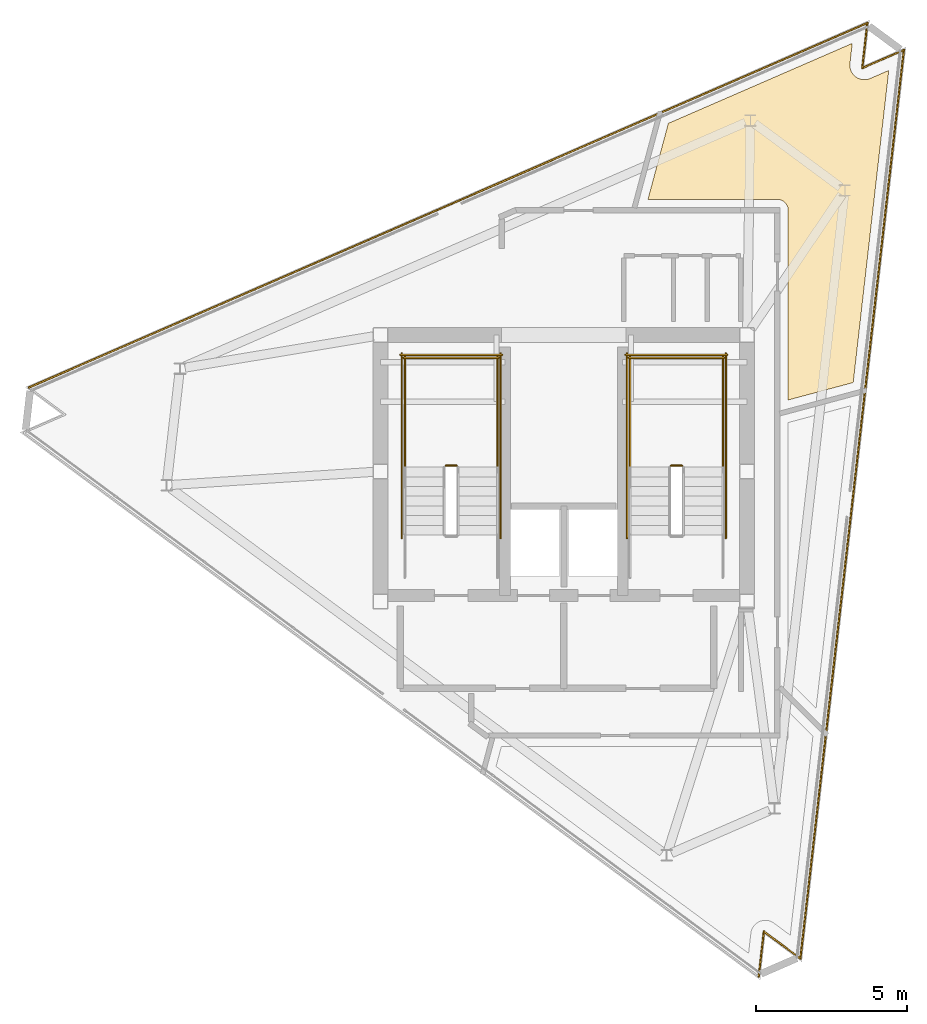
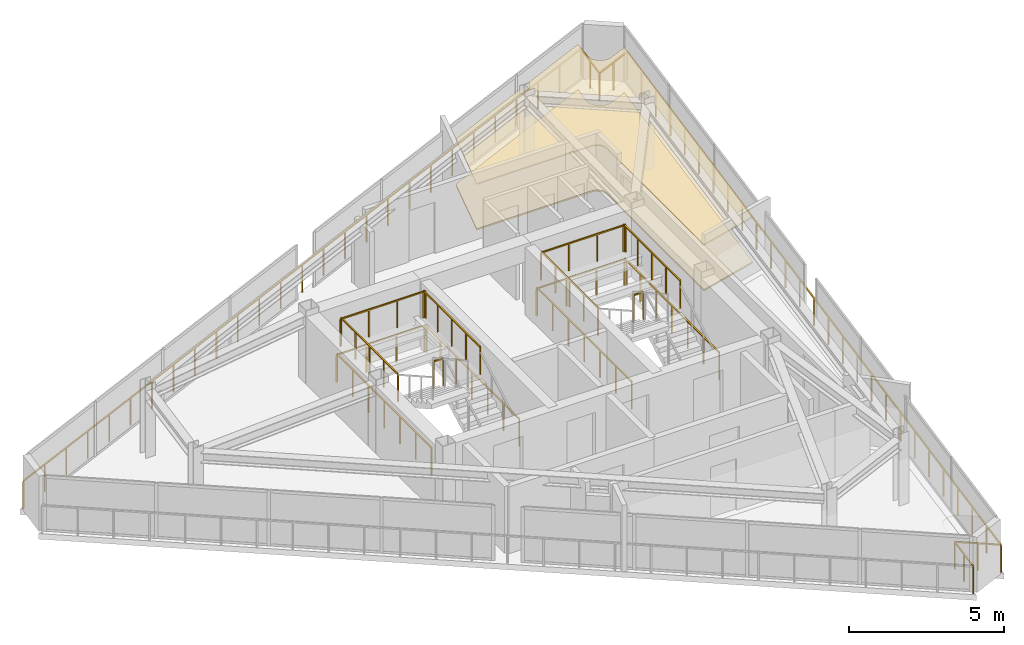
# One storey, part 9 of 9: 16 railings, 2 coverings.
"""IFC4 building model written with IfcOpenShell, lengths in metres."""

from ifc_helpers import new_model, si_unit, direction, frame, origin, origin_2d, place, context, subcontext, project, spatial, polyline, rectangle, outline, extrude, material, layer, layer_set, type_object, element, save


model = new_model("IFC4")

# Units and contexts
model_context = context("Model", 3, precision=1e-05, world=origin(), true_north=direction((0.0, 1.0)))
body_context = subcontext(model_context, "Body", "Model", "MODEL_VIEW")
ifc_project = project(units=[si_unit("LENGTHUNIT", "METRE"), si_unit("AREAUNIT", "SQUARE_METRE"), si_unit("VOLUMEUNIT", "CUBIC_METRE"), si_unit("PLANEANGLEUNIT", "RADIAN"), si_unit("MASSUNIT", "GRAM", prefix="KILO")], contexts=[model_context])

# Site, building, storey
site_placement = place(None, origin())
site = spatial("IfcSite", under=ifc_project, at=site_placement, CompositionType="ELEMENT")
building_placement = place(site_placement, origin())
building = spatial("IfcBuilding", under=site, at=building_placement, Name="Rocaltana Carrier Exchange", CompositionType="ELEMENT")
storey_placement = place(building_placement, frame((0.0, 0.0, 243.360107421875)))
storey = spatial("IfcBuildingStorey", under=building, at=storey_placement, Name="L77", CompositionType="ELEMENT", Elevation=243.360107421875)

# Coverings
ifc_material_1 = material(Name="Calcium Sulphate & Aluminium Pedestal", Category="aluminium")
ifc_layer_1 = layer(ifc_material_1, 0.06005859375)
ifc_layer_set_1 = layer_set([ifc_layer_1], Name="Calcium Sulphate & Aluminium Pedestal")
covering_type_1 = type_object("IfcCoveringType", Name="Anti-Static Raised Exchange Access Floor 60", PredefinedType="FLOORING", material=ifc_layer_set_1)
covering_1_placement = place(storey_placement, origin())
element("IfcCovering", 1, at=covering_1_placement, inside=storey, type_object=covering_type_1, Name="L77 Peering Conference Room Finish Floor", PredefinedType="FLOORING", context=body_context, shape_type="SweptSolid", body=[
    extrude(outline(polyline([(9.523681640625, 14.13134765625), (9.447998046875, 13.467041015625), (9.44677734375, 13.453125), (9.445556640625, 13.43310546875), (9.445068359375, 13.4052734375), (9.44580078125, 13.385498046875), (9.4482421875, 13.357666015625), (9.450927734375, 13.337890625), (9.4560546875, 13.310302734375), (9.460693359375, 13.291015625), (9.468505859375, 13.26416015625), (9.47509765625, 13.245361328125), (9.485595703125, 13.219482421875), (9.493896484375, 13.201416015625), (9.507080078125, 13.1767578125), (9.51708984375, 13.15966796875), (9.53271484375, 13.13623046875), (9.54443359375, 13.120361328125), (9.56201171875, 13.0986328125), (9.575439453125, 13.083740234375), (9.59521484375, 13.064208984375), (9.60986328125, 13.05078125), (9.631591796875, 13.032958984375), (9.6474609375, 13.02099609375), (9.6708984375, 13.005615234375), (9.68798828125, 12.99560546875), (9.712646484375, 12.982421875), (9.730712890625, 12.973876953125), (9.756591796875, 12.96337890625), (9.775390625, 12.956787109375), (9.802001953125, 12.94873046875), (9.8212890625, 12.944091796875), (9.848876953125, 12.93896484375), (9.86865234375, 12.936279296875), (9.896484375, 12.93359375), (9.916259765625, 12.932861328125), (9.944091796875, 12.93310546875), (9.964111328125, 12.9345703125), (9.991943359375, 12.9375), (10.01171875, 12.940673828125), (10.038818359375, 12.946533203125), (10.05810546875, 12.95166015625), (10.084716796875, 12.960205078125), (10.103515625, 12.96728515625), (10.1162109375, 12.972412109375), (10.7294921875, 13.239013671875), (9.55517578125, 2.93310546875), (7.409912109375, 2.358154296875), (7.409912109375, 8.6201171875), (7.40966796875, 8.6337890625), (7.4091796875, 8.6416015625), (7.406494140625, 8.6689453125), (7.405517578125, 8.6767578125), (7.400146484375, 8.70361328125), (7.398193359375, 8.711181640625), (7.39013671875, 8.737548828125), (7.387451171875, 8.744873046875), (7.376953125, 8.770263671875), (7.373779296875, 8.77734375), (7.360595703125, 8.8017578125), (7.356689453125, 8.808349609375), (7.34130859375, 8.831298828125), (7.336669921875, 8.83740234375), (7.3193359375, 8.85888671875), (7.31396484375, 8.864501953125), (7.294677734375, 8.884033203125), (7.288818359375, 8.889404296875), (7.267578125, 8.90673828125), (7.26123046875, 8.911376953125), (7.23828125, 8.9267578125), (7.231689453125, 8.9306640625), (7.20751953125, 8.943603515625), (7.2001953125, 8.947021484375), (7.1748046875, 8.95751953125), (7.16748046875, 8.960205078125), (7.141357421875, 8.96826171875), (7.133544921875, 8.97021484375), (7.106689453125, 8.975341796875), (7.098876953125, 8.9765625), (7.071533203125, 8.979248046875), (7.063720703125, 8.979736328125), (7.050048828125, 8.97998046875), (2.77880859375, 8.97998046875), (3.451904296875, 11.4912109375), (9.523681640625, 14.13134765625)])), origin(), (0.0, 0.0, 1.0), 0.059814453125),
])
ifc_material_2 = material(Name="Mineral Fibre & Powder-Coated Aluminium", Category="aluminium")
ifc_layer_2 = layer(ifc_material_2, 0.044921875)
ifc_layer_set_2 = layer_set([ifc_layer_2], Name="Mineral Fibre & Powder-Coated Aluminium")
covering_type_2 = type_object("IfcCoveringType", Name="Micro-Perforated Acoustic Ceiling 45", PredefinedType="CEILING", material=ifc_layer_set_2)
covering_2_placement = place(storey_placement, frame((0.0, 0.0, 1.79296875)))
element("IfcCovering", 2, at=covering_2_placement, inside=storey, type_object=covering_type_2, Name="L77 Peering Conference Room Acoustic Ceiling", PredefinedType="CEILING", context=body_context, shape_type="SweptSolid", body=[
    extrude(outline(polyline([(9.523681640625, 14.13134765625), (9.447998046875, 13.467041015625), (9.44677734375, 13.453125), (9.445556640625, 13.43310546875), (9.445068359375, 13.4052734375), (9.44580078125, 13.385498046875), (9.4482421875, 13.357666015625), (9.450927734375, 13.337890625), (9.4560546875, 13.310302734375), (9.460693359375, 13.291015625), (9.468505859375, 13.26416015625), (9.47509765625, 13.245361328125), (9.485595703125, 13.219482421875), (9.493896484375, 13.201416015625), (9.507080078125, 13.1767578125), (9.51708984375, 13.15966796875), (9.53271484375, 13.13623046875), (9.54443359375, 13.120361328125), (9.56201171875, 13.0986328125), (9.575439453125, 13.083740234375), (9.59521484375, 13.064208984375), (9.60986328125, 13.05078125), (9.631591796875, 13.032958984375), (9.6474609375, 13.02099609375), (9.6708984375, 13.005615234375), (9.68798828125, 12.99560546875), (9.712646484375, 12.982421875), (9.730712890625, 12.973876953125), (9.756591796875, 12.96337890625), (9.775390625, 12.956787109375), (9.802001953125, 12.94873046875), (9.8212890625, 12.944091796875), (9.848876953125, 12.93896484375), (9.86865234375, 12.936279296875), (9.896484375, 12.93359375), (9.916259765625, 12.932861328125), (9.944091796875, 12.93310546875), (9.964111328125, 12.9345703125), (9.991943359375, 12.9375), (10.01171875, 12.940673828125), (10.038818359375, 12.946533203125), (10.05810546875, 12.95166015625), (10.084716796875, 12.960205078125), (10.103515625, 12.96728515625), (10.1162109375, 12.972412109375), (10.7294921875, 13.239013671875), (9.55517578125, 2.93310546875), (7.409912109375, 2.358154296875), (7.409912109375, 8.6201171875), (7.40966796875, 8.6337890625), (7.4091796875, 8.6416015625), (7.406494140625, 8.6689453125), (7.405517578125, 8.6767578125), (7.400146484375, 8.70361328125), (7.398193359375, 8.711181640625), (7.39013671875, 8.737548828125), (7.387451171875, 8.744873046875), (7.376953125, 8.770263671875), (7.373779296875, 8.77734375), (7.360595703125, 8.8017578125), (7.356689453125, 8.808349609375), (7.34130859375, 8.831298828125), (7.336669921875, 8.83740234375), (7.3193359375, 8.85888671875), (7.31396484375, 8.864501953125), (7.294677734375, 8.884033203125), (7.288818359375, 8.889404296875), (7.267578125, 8.90673828125), (7.26123046875, 8.911376953125), (7.23828125, 8.9267578125), (7.231689453125, 8.9306640625), (7.20751953125, 8.943603515625), (7.2001953125, 8.947021484375), (7.1748046875, 8.95751953125), (7.16748046875, 8.960205078125), (7.141357421875, 8.96826171875), (7.133544921875, 8.97021484375), (7.106689453125, 8.975341796875), (7.098876953125, 8.9765625), (7.071533203125, 8.979248046875), (7.063720703125, 8.979736328125), (7.050048828125, 8.97998046875), (2.77880859375, 8.97998046875), (3.451904296875, 11.4912109375), (9.523681640625, 14.13134765625)])), origin(), (0.0, 0.0, 1.0), 0.044921875),
])

# Railings
ifc_material_3 = material(Name="Powder-Coated Aluminium 6063-T6", Category="aluminium")
ifc_layer_3 = layer(ifc_material_3, 0.048095703125)
ifc_layer_set_3 = layer_set([ifc_layer_3], Name="Powder-Coated Aluminium 6063-T6")
railing_type_1 = type_object("IfcRailingType", Name="Stair Well Guardrail 1100", PredefinedType="GUARDRAIL", material=ifc_layer_set_3)
railing_1_placement = place(storey_placement, frame((-3.5400390625, 0.18994140625, 1.43994140625)))
element("IfcRailing", 3, at=railing_1_placement, inside=storey, type_object=railing_type_1, Name="L77 ST-1 stair guard 2", PredefinedType="GUARDRAIL", context=body_context, shape_type="SweptSolid", body=[
    extrude(rectangle(XDim=0.048095703125, YDim=0.048095703125, at=origin_2d()), frame((0.0, 0.0, 1.076171875), z_axis=(-1.0, 0.0, 0.0), x_axis=(0.0, -1.0, 0.0)), (0.0, 0.0, 1.0), 0.35986328125),
    extrude(rectangle(XDim=0.0419921875, YDim=0.0419921875, at=origin_2d()), origin(), (0.0, 0.0, 1.0), 1.052001953125),
    extrude(rectangle(XDim=0.0419921875, YDim=0.0419921875, at=origin_2d()), frame((-0.35986328125, 0.0, 0.0)), (0.0, 0.0, 1.0), 1.052001953125),
])
for number, where, name in (
    (4, (-2.18994140625, 0.139892578125, 1.43994140625), "L77 ST-1 stair guard 3"),
    (5, (-5.25, 0.139892578125, 1.43994140625), "L77 ST-1 stair guard 4"),
):
    element("IfcRailing", number, at=place(storey_placement, frame(where)), inside=storey, type_object=railing_type_1, Name=name, PredefinedType="GUARDRAIL", context=body_context, shape_type="SweptSolid", body=[
        extrude(rectangle(XDim=0.048095703125, YDim=0.048095703125, at=origin_2d()), frame((0.0, 0.0, 1.076171875), z_axis=(0.0, 1.0, 0.0), x_axis=(-1.0, 0.0, 0.0)), (0.0, 0.0, 1.0), 3.66015625),
        extrude(rectangle(XDim=0.0419921875, YDim=0.0419921875, at=origin_2d()), origin(), (0.0, 0.0, 1.0), 1.052001953125),
        extrude(rectangle(XDim=0.0419921875, YDim=0.0419921875, at=origin_2d()), frame((0.0, 0.9150390625, 0.0)), (0.0, 0.0, 1.0), 1.052001953125),
        extrude(rectangle(XDim=0.0419921875, YDim=0.0419921875, at=origin_2d()), frame((0.0, 1.830078125, 0.0)), (0.0, 0.0, 1.0), 1.052001953125),
        extrude(rectangle(XDim=0.0419921875, YDim=0.0419921875, at=origin_2d()), frame((0.0, 2.7451171875, 0.0)), (0.0, 0.0, 1.0), 1.052001953125),
        extrude(rectangle(XDim=0.0419921875, YDim=0.0419921875, at=origin_2d()), frame((0.0, 3.66015625, 0.0)), (0.0, 0.0, 1.0), 1.052001953125),
    ])
railing_2_placement = place(storey_placement, frame((-2.139892578125, 3.75, 1.43994140625)))
element("IfcRailing", 6, at=railing_2_placement, inside=storey, type_object=railing_type_1, Name="L77 ST-1 stair guard 5", PredefinedType="GUARDRAIL", context=body_context, shape_type="SweptSolid", body=[
    extrude(rectangle(XDim=0.048095703125, YDim=0.048095703125, at=origin_2d()), frame((0.0, 0.0, 1.076171875), z_axis=(-1.0, 0.0, 0.0), x_axis=(0.0, -1.0, 0.0)), (0.0, 0.0, 1.0), 3.16015625),
    extrude(rectangle(XDim=0.0419921875, YDim=0.0419921875, at=origin_2d()), origin(), (0.0, 0.0, 1.0), 1.052001953125),
    extrude(rectangle(XDim=0.0419921875, YDim=0.0419921875, at=origin_2d()), frame((-1.053466796875, 0.0, 0.0)), (0.0, 0.0, 1.0), 1.052001953125),
    extrude(rectangle(XDim=0.0419921875, YDim=0.0419921875, at=origin_2d()), frame((-2.106689453125, 0.0, 0.0)), (0.0, 0.0, 1.0), 1.052001953125),
    extrude(rectangle(XDim=0.0419921875, YDim=0.0419921875, at=origin_2d()), frame((-3.16015625, 0.0, 0.0)), (0.0, 0.0, 1.0), 1.052001953125),
])
for number, where, name in (
    (7, (-2.090087890625, -2.199951171875, 0.0), "L77 ST-1 stair guard 10"),
    (8, (-5.35009765625, -2.199951171875, 0.0), "L77 ST-1 stair guard 11"),
):
    element("IfcRailing", number, at=place(storey_placement, frame(where)), inside=storey, type_object=railing_type_1, Name=name, PredefinedType="GUARDRAIL", context=body_context, shape_type="SweptSolid", body=[
        extrude(rectangle(XDim=0.048095703125, YDim=0.048095703125, at=origin_2d()), frame((0.0, 0.0, 1.076171875), z_axis=(0.0, 1.0, 0.0), x_axis=(-1.0, 0.0, 0.0)), (0.0, 0.0, 1.0), 6.099853515625),
        extrude(rectangle(XDim=0.0419921875, YDim=0.0419921875, at=origin_2d()), origin(), (0.0, 0.0, 1.0), 1.052001953125),
        extrude(rectangle(XDim=0.0419921875, YDim=0.0419921875, at=origin_2d()), frame((0.0, 1.0166015625, 0.0)), (0.0, 0.0, 1.0), 1.052001953125),
        extrude(rectangle(XDim=0.0419921875, YDim=0.0419921875, at=origin_2d()), frame((0.0, 2.033203125, 0.0)), (0.0, 0.0, 1.0), 1.052001953125),
        extrude(rectangle(XDim=0.0419921875, YDim=0.0419921875, at=origin_2d()), frame((0.0, 3.0498046875, 0.0)), (0.0, 0.0, 1.0), 1.052001953125),
        extrude(rectangle(XDim=0.0419921875, YDim=0.0419921875, at=origin_2d()), frame((0.0, 4.066650390625, 0.0)), (0.0, 0.0, 1.0), 1.052001953125),
        extrude(rectangle(XDim=0.0419921875, YDim=0.0419921875, at=origin_2d()), frame((0.0, 5.083251953125, 0.0)), (0.0, 0.0, 1.0), 1.052001953125),
        extrude(rectangle(XDim=0.0419921875, YDim=0.0419921875, at=origin_2d()), frame((0.0, 6.099853515625, 0.0)), (0.0, 0.0, 1.0), 1.052001953125),
    ])
railing_3_placement = place(storey_placement, frame((-2.0400390625, 3.85009765625, 0.0)))
element("IfcRailing", 9, at=railing_3_placement, inside=storey, type_object=railing_type_1, Name="L77 ST-1 stair guard 12", PredefinedType="GUARDRAIL", context=body_context, shape_type="SweptSolid", body=[
    extrude(rectangle(XDim=0.048095703125, YDim=0.048095703125, at=origin_2d()), frame((0.0, 0.0, 1.076171875), z_axis=(-1.0, 0.0, 0.0), x_axis=(0.0, -1.0, 0.0)), (0.0, 0.0, 1.0), 3.35986328125),
    extrude(rectangle(XDim=0.0419921875, YDim=0.0419921875, at=origin_2d()), origin(), (0.0, 0.0, 1.0), 1.052001953125),
    extrude(rectangle(XDim=0.0419921875, YDim=0.0419921875, at=origin_2d()), frame((-1.119873046875, 0.0, 0.0)), (0.0, 0.0, 1.0), 1.052001953125),
    extrude(rectangle(XDim=0.0419921875, YDim=0.0419921875, at=origin_2d()), frame((-2.239990234375, 0.0, 0.0)), (0.0, 0.0, 1.0), 1.052001953125),
    extrude(rectangle(XDim=0.0419921875, YDim=0.0419921875, at=origin_2d()), frame((-3.35986328125, 0.0, 0.0)), (0.0, 0.0, 1.0), 1.052001953125),
])
railing_4_placement = place(storey_placement, frame((3.89990234375, 0.18994140625, 1.43994140625)))
element("IfcRailing", 10, at=railing_4_placement, inside=storey, type_object=railing_type_1, Name="L77 ST-2 stair guard 2", PredefinedType="GUARDRAIL", context=body_context, shape_type="SweptSolid", body=[
    extrude(rectangle(XDim=0.048095703125, YDim=0.048095703125, at=origin_2d()), frame((0.0, 0.0, 1.076171875), z_axis=(-1.0, 0.0, 0.0), x_axis=(0.0, -1.0, 0.0)), (0.0, 0.0, 1.0), 0.35986328125),
    extrude(rectangle(XDim=0.0419921875, YDim=0.0419921875, at=origin_2d()), origin(), (0.0, 0.0, 1.0), 1.052001953125),
    extrude(rectangle(XDim=0.0419921875, YDim=0.0419921875, at=origin_2d()), frame((-0.35986328125, 0.0, 0.0)), (0.0, 0.0, 1.0), 1.052001953125),
])
for number, where, name in (
    (11, (5.25, 0.139892578125, 1.43994140625), "L77 ST-2 stair guard 3"),
    (12, (2.18994140625, 0.139892578125, 1.43994140625), "L77 ST-2 stair guard 4"),
):
    element("IfcRailing", number, at=place(storey_placement, frame(where)), inside=storey, type_object=railing_type_1, Name=name, PredefinedType="GUARDRAIL", context=body_context, shape_type="SweptSolid", body=[
        extrude(rectangle(XDim=0.048095703125, YDim=0.048095703125, at=origin_2d()), frame((0.0, 0.0, 1.076171875), z_axis=(0.0, 1.0, 0.0), x_axis=(-1.0, 0.0, 0.0)), (0.0, 0.0, 1.0), 3.66015625),
        extrude(rectangle(XDim=0.0419921875, YDim=0.0419921875, at=origin_2d()), origin(), (0.0, 0.0, 1.0), 1.052001953125),
        extrude(rectangle(XDim=0.0419921875, YDim=0.0419921875, at=origin_2d()), frame((0.0, 0.9150390625, 0.0)), (0.0, 0.0, 1.0), 1.052001953125),
        extrude(rectangle(XDim=0.0419921875, YDim=0.0419921875, at=origin_2d()), frame((0.0, 1.830078125, 0.0)), (0.0, 0.0, 1.0), 1.052001953125),
        extrude(rectangle(XDim=0.0419921875, YDim=0.0419921875, at=origin_2d()), frame((0.0, 2.7451171875, 0.0)), (0.0, 0.0, 1.0), 1.052001953125),
        extrude(rectangle(XDim=0.0419921875, YDim=0.0419921875, at=origin_2d()), frame((0.0, 3.66015625, 0.0)), (0.0, 0.0, 1.0), 1.052001953125),
    ])
railing_5_placement = place(storey_placement, frame((5.300048828125, 3.75, 1.43994140625)))
element("IfcRailing", 13, at=railing_5_placement, inside=storey, type_object=railing_type_1, Name="L77 ST-2 stair guard 5", PredefinedType="GUARDRAIL", context=body_context, shape_type="SweptSolid", body=[
    extrude(rectangle(XDim=0.048095703125, YDim=0.048095703125, at=origin_2d()), frame((0.0, 0.0, 1.076171875), z_axis=(-1.0, 0.0, 0.0), x_axis=(0.0, -1.0, 0.0)), (0.0, 0.0, 1.0), 3.16015625),
    extrude(rectangle(XDim=0.0419921875, YDim=0.0419921875, at=origin_2d()), origin(), (0.0, 0.0, 1.0), 1.052001953125),
    extrude(rectangle(XDim=0.0419921875, YDim=0.0419921875, at=origin_2d()), frame((-1.053466796875, 0.0, 0.0)), (0.0, 0.0, 1.0), 1.052001953125),
    extrude(rectangle(XDim=0.0419921875, YDim=0.0419921875, at=origin_2d()), frame((-2.106689453125, 0.0, 0.0)), (0.0, 0.0, 1.0), 1.052001953125),
    extrude(rectangle(XDim=0.0419921875, YDim=0.0419921875, at=origin_2d()), frame((-3.16015625, 0.0, 0.0)), (0.0, 0.0, 1.0), 1.052001953125),
])
for number, where, name in (
    (14, (5.35009765625, -2.199951171875, 0.0), "L77 ST-2 stair guard 10"),
    (15, (2.090087890625, -2.199951171875, 0.0), "L77 ST-2 stair guard 11"),
):
    element("IfcRailing", number, at=place(storey_placement, frame(where)), inside=storey, type_object=railing_type_1, Name=name, PredefinedType="GUARDRAIL", context=body_context, shape_type="SweptSolid", body=[
        extrude(rectangle(XDim=0.048095703125, YDim=0.048095703125, at=origin_2d()), frame((0.0, 0.0, 1.076171875), z_axis=(0.0, 1.0, 0.0), x_axis=(-1.0, 0.0, 0.0)), (0.0, 0.0, 1.0), 6.099853515625),
        extrude(rectangle(XDim=0.0419921875, YDim=0.0419921875, at=origin_2d()), origin(), (0.0, 0.0, 1.0), 1.052001953125),
        extrude(rectangle(XDim=0.0419921875, YDim=0.0419921875, at=origin_2d()), frame((0.0, 1.0166015625, 0.0)), (0.0, 0.0, 1.0), 1.052001953125),
        extrude(rectangle(XDim=0.0419921875, YDim=0.0419921875, at=origin_2d()), frame((0.0, 2.033203125, 0.0)), (0.0, 0.0, 1.0), 1.052001953125),
        extrude(rectangle(XDim=0.0419921875, YDim=0.0419921875, at=origin_2d()), frame((0.0, 3.0498046875, 0.0)), (0.0, 0.0, 1.0), 1.052001953125),
        extrude(rectangle(XDim=0.0419921875, YDim=0.0419921875, at=origin_2d()), frame((0.0, 4.066650390625, 0.0)), (0.0, 0.0, 1.0), 1.052001953125),
        extrude(rectangle(XDim=0.0419921875, YDim=0.0419921875, at=origin_2d()), frame((0.0, 5.083251953125, 0.0)), (0.0, 0.0, 1.0), 1.052001953125),
        extrude(rectangle(XDim=0.0419921875, YDim=0.0419921875, at=origin_2d()), frame((0.0, 6.099853515625, 0.0)), (0.0, 0.0, 1.0), 1.052001953125),
    ])
railing_6_placement = place(storey_placement, frame((5.39990234375, 3.85009765625, 0.0)))
element("IfcRailing", 16, at=railing_6_placement, inside=storey, type_object=railing_type_1, Name="L77 ST-2 stair guard 12", PredefinedType="GUARDRAIL", context=body_context, shape_type="SweptSolid", body=[
    extrude(rectangle(XDim=0.048095703125, YDim=0.048095703125, at=origin_2d()), frame((0.0, 0.0, 1.076171875), z_axis=(-1.0, 0.0, 0.0), x_axis=(0.0, -1.0, 0.0)), (0.0, 0.0, 1.0), 3.35986328125),
    extrude(rectangle(XDim=0.0419921875, YDim=0.0419921875, at=origin_2d()), origin(), (0.0, 0.0, 1.0), 1.052001953125),
    extrude(rectangle(XDim=0.0419921875, YDim=0.0419921875, at=origin_2d()), frame((-1.119873046875, 0.0, 0.0)), (0.0, 0.0, 1.0), 1.052001953125),
    extrude(rectangle(XDim=0.0419921875, YDim=0.0419921875, at=origin_2d()), frame((-2.239990234375, 0.0, 0.0)), (0.0, 0.0, 1.0), 1.052001953125),
    extrude(rectangle(XDim=0.0419921875, YDim=0.0419921875, at=origin_2d()), frame((-3.35986328125, 0.0, 0.0)), (0.0, 0.0, 1.0), 1.052001953125),
])
ifc_material_4 = material(Name="Powder-Coated Aluminium 6063-T6", Category="aluminium")
ifc_layer_4 = layer(ifc_material_4, 0.06005859375)
ifc_layer_set_4 = layer_set([ifc_layer_4], Name="Powder-Coated Aluminium 6063-T6")
railing_type_2 = type_object("IfcRailingType", Name="Wind-Floor & Terrace Perimeter Guardrail 1100", PredefinedType="GUARDRAIL", material=ifc_layer_set_4)
railing_7_placement = place(storey_placement, frame((-17.664794921875, 2.767578125, 0.0)))
element("IfcRailing", 17, at=railing_7_placement, inside=storey, type_object=railing_type_2, Name="L77 Perimeter Balcony Guardrail 2", PredefinedType="GUARDRAIL", context=body_context, shape_type="SweptSolid", body=[
    extrude(rectangle(XDim=0.048095703125, YDim=0.048095703125, at=origin_2d()), frame((0.0, 0.0, 1.076171875), z_axis=(0.917063242574, 0.398741782511, 0.0), x_axis=(-0.398741782511, 0.917063242574, 0.0)), (0.0, 0.0, 1.0), 30.19189453125),
    extrude(rectangle(XDim=0.048095703125, YDim=0.048095703125, at=origin_2d()), frame((27.68798828125, 12.038818359375, 1.076171875), z_axis=(-0.113128821835, -0.993580328746, 0.0), x_axis=(0.993580328746, -0.113128821835, 0.0)), (0.0, 0.0, 1.0), 1.499755859375),
    extrude(rectangle(XDim=0.048095703125, YDim=0.048095703125, at=origin_2d()), frame((27.518310546875, 10.548583984375, 1.076171875), z_axis=(0.917044176795, 0.398785628887, 0.0), x_axis=(-0.398785628887, 0.917044176795, 0.0)), (0.0, 0.0, 1.0), 1.5),
    extrude(rectangle(XDim=0.0419921875, YDim=0.0419921875, at=origin_2d()), origin(), (0.0, 0.0, 1.0), 1.052001953125),
    extrude(rectangle(XDim=0.0419921875, YDim=0.0419921875, at=origin_2d()), frame((1.06494140625, 0.463134765625, 0.0)), (0.0, 0.0, 1.0), 1.052001953125),
    extrude(rectangle(XDim=0.0419921875, YDim=0.0419921875, at=origin_2d()), frame((2.1298828125, 0.926025390625, 0.0)), (0.0, 0.0, 1.0), 1.052001953125),
    extrude(rectangle(XDim=0.0419921875, YDim=0.0419921875, at=origin_2d()), frame((3.19482421875, 1.38916015625, 0.0)), (0.0, 0.0, 1.0), 1.052001953125),
    extrude(rectangle(XDim=0.0419921875, YDim=0.0419921875, at=origin_2d()), frame((4.259765625, 1.85205078125, 0.0)), (0.0, 0.0, 1.0), 1.052001953125),
    extrude(rectangle(XDim=0.0419921875, YDim=0.0419921875, at=origin_2d()), frame((5.32470703125, 2.315185546875, 0.0)), (0.0, 0.0, 1.0), 1.052001953125),
    extrude(rectangle(XDim=0.0419921875, YDim=0.0419921875, at=origin_2d()), frame((6.3896484375, 2.778076171875, 0.0)), (0.0, 0.0, 1.0), 1.052001953125),
    extrude(rectangle(XDim=0.0419921875, YDim=0.0419921875, at=origin_2d()), frame((7.454345703125, 3.2412109375, 0.0)), (0.0, 0.0, 1.0), 1.052001953125),
    extrude(rectangle(XDim=0.0419921875, YDim=0.0419921875, at=origin_2d()), frame((8.519287109375, 3.704345703125, 0.0)), (0.0, 0.0, 1.0), 1.052001953125),
    extrude(rectangle(XDim=0.0419921875, YDim=0.0419921875, at=origin_2d()), frame((9.584228515625, 4.167236328125, 0.0)), (0.0, 0.0, 1.0), 1.052001953125),
    extrude(rectangle(XDim=0.0419921875, YDim=0.0419921875, at=origin_2d()), frame((10.649169921875, 4.63037109375, 0.0)), (0.0, 0.0, 1.0), 1.052001953125),
    extrude(rectangle(XDim=0.0419921875, YDim=0.0419921875, at=origin_2d()), frame((11.714111328125, 5.09326171875, 0.0)), (0.0, 0.0, 1.0), 1.052001953125),
    extrude(rectangle(XDim=0.0419921875, YDim=0.0419921875, at=origin_2d()), frame((12.779052734375, 5.556396484375, 0.0)), (0.0, 0.0, 1.0), 1.052001953125),
    extrude(rectangle(XDim=0.0419921875, YDim=0.0419921875, at=origin_2d()), frame((13.843994140625, 6.01953125, 0.0)), (0.0, 0.0, 1.0), 1.052001953125),
    extrude(rectangle(XDim=0.0419921875, YDim=0.0419921875, at=origin_2d()), frame((14.908935546875, 6.482421875, 0.0)), (0.0, 0.0, 1.0), 1.052001953125),
    extrude(rectangle(XDim=0.0419921875, YDim=0.0419921875, at=origin_2d()), frame((15.973876953125, 6.945556640625, 0.0)), (0.0, 0.0, 1.0), 1.052001953125),
    extrude(rectangle(XDim=0.0419921875, YDim=0.0419921875, at=origin_2d()), frame((17.038818359375, 7.408447265625, 0.0)), (0.0, 0.0, 1.0), 1.052001953125),
    extrude(rectangle(XDim=0.0419921875, YDim=0.0419921875, at=origin_2d()), frame((18.103759765625, 7.87158203125, 0.0)), (0.0, 0.0, 1.0), 1.052001953125),
    extrude(rectangle(XDim=0.0419921875, YDim=0.0419921875, at=origin_2d()), frame((19.168701171875, 8.33447265625, 0.0)), (0.0, 0.0, 1.0), 1.052001953125),
    extrude(rectangle(XDim=0.0419921875, YDim=0.0419921875, at=origin_2d()), frame((20.233642578125, 8.797607421875, 0.0)), (0.0, 0.0, 1.0), 1.052001953125),
    extrude(rectangle(XDim=0.0419921875, YDim=0.0419921875, at=origin_2d()), frame((21.29833984375, 9.2607421875, 0.0)), (0.0, 0.0, 1.0), 1.052001953125),
    extrude(rectangle(XDim=0.0419921875, YDim=0.0419921875, at=origin_2d()), frame((22.36328125, 9.7236328125, 0.0)), (0.0, 0.0, 1.0), 1.052001953125),
    extrude(rectangle(XDim=0.0419921875, YDim=0.0419921875, at=origin_2d()), frame((23.42822265625, 10.186767578125, 0.0)), (0.0, 0.0, 1.0), 1.052001953125),
    extrude(rectangle(XDim=0.0419921875, YDim=0.0419921875, at=origin_2d()), frame((24.4931640625, 10.649658203125, 0.0)), (0.0, 0.0, 1.0), 1.052001953125),
    extrude(rectangle(XDim=0.0419921875, YDim=0.0419921875, at=origin_2d()), frame((25.55810546875, 11.11279296875, 0.0)), (0.0, 0.0, 1.0), 1.052001953125),
    extrude(rectangle(XDim=0.0419921875, YDim=0.0419921875, at=origin_2d()), frame((26.623046875, 11.57568359375, 0.0)), (0.0, 0.0, 1.0), 1.052001953125),
    extrude(rectangle(XDim=0.0419921875, YDim=0.0419921875, at=origin_2d()), frame((27.68798828125, 12.038818359375, 0.0)), (0.0, 0.0, 1.0), 1.052001953125),
    extrude(rectangle(XDim=0.0419921875, YDim=0.0419921875, at=origin_2d()), frame((27.60302734375, 11.293701171875, 0.0)), (0.0, 0.0, 1.0), 1.052001953125),
    extrude(rectangle(XDim=0.0419921875, YDim=0.0419921875, at=origin_2d()), frame((27.518310546875, 10.548583984375, 0.0)), (0.0, 0.0, 1.0), 1.052001953125),
    extrude(rectangle(XDim=0.0419921875, YDim=0.0419921875, at=origin_2d()), frame((28.2060546875, 10.84765625, 0.0)), (0.0, 0.0, 1.0), 1.052001953125),
    extrude(rectangle(XDim=0.0419921875, YDim=0.0419921875, at=origin_2d()), frame((28.893798828125, 11.146728515625, 0.0)), (0.0, 0.0, 1.0), 1.052001953125),
])
railing_8_placement = place(storey_placement, frame((11.22900390625, 13.914306640625, 0.0)))
element("IfcRailing", 18, at=railing_8_placement, inside=storey, type_object=railing_type_2, Name="L77 Perimeter Balcony Guardrail 3", PredefinedType="GUARDRAIL", context=body_context, shape_type="SweptSolid", body=[
    extrude(rectangle(XDim=0.048095703125, YDim=0.048095703125, at=origin_2d()), frame((0.0, 0.0, 1.076171875), z_axis=(-0.113199253886, -0.99357230684, 0.0), x_axis=(0.99357230684, -0.113199253886, 0.0)), (0.0, 0.0, 1.0), 30.192138671875),
    extrude(rectangle(XDim=0.048095703125, YDim=0.048095703125, at=origin_2d()), frame((-3.417724609375, -29.998046875, 1.076171875), z_axis=(-0.80383100408, 0.594857728267, 0.0), x_axis=(-0.594857728267, -0.80383100408, 0.0)), (0.0, 0.0, 1.0), 1.5),
    extrude(rectangle(XDim=0.048095703125, YDim=0.048095703125, at=origin_2d()), frame((-4.62353515625, -29.105712890625, 1.076171875), z_axis=(-0.113271190728, -0.993564108325, 0.0), x_axis=(0.993564108325, -0.113271190728, 0.0)), (0.0, 0.0, 1.0), 1.500244140625),
    extrude(rectangle(XDim=0.0419921875, YDim=0.0419921875, at=origin_2d()), origin(), (0.0, 0.0, 1.0), 1.052001953125),
    extrude(rectangle(XDim=0.0419921875, YDim=0.0419921875, at=origin_2d()), frame((-0.13134765625, -1.15380859375, 0.0)), (0.0, 0.0, 1.0), 1.052001953125),
    extrude(rectangle(XDim=0.0419921875, YDim=0.0419921875, at=origin_2d()), frame((-0.262939453125, -2.3076171875, 0.0)), (0.0, 0.0, 1.0), 1.052001953125),
    extrude(rectangle(XDim=0.0419921875, YDim=0.0419921875, at=origin_2d()), frame((-0.394287109375, -3.46142578125, 0.0)), (0.0, 0.0, 1.0), 1.052001953125),
    extrude(rectangle(XDim=0.0419921875, YDim=0.0419921875, at=origin_2d()), frame((-0.52587890625, -4.614990234375, 0.0)), (0.0, 0.0, 1.0), 1.052001953125),
    extrude(rectangle(XDim=0.0419921875, YDim=0.0419921875, at=origin_2d()), frame((-0.6572265625, -5.768798828125, 0.0)), (0.0, 0.0, 1.0), 1.052001953125),
    extrude(rectangle(XDim=0.0419921875, YDim=0.0419921875, at=origin_2d()), frame((-0.788818359375, -6.922607421875, 0.0)), (0.0, 0.0, 1.0), 1.052001953125),
    extrude(rectangle(XDim=0.0419921875, YDim=0.0419921875, at=origin_2d()), frame((-0.920166015625, -8.076416015625, 0.0)), (0.0, 0.0, 1.0), 1.052001953125),
    extrude(rectangle(XDim=0.0419921875, YDim=0.0419921875, at=origin_2d()), frame((-1.051513671875, -9.230224609375, 0.0)), (0.0, 0.0, 1.0), 1.052001953125),
    extrude(rectangle(XDim=0.0419921875, YDim=0.0419921875, at=origin_2d()), frame((-1.18310546875, -10.384033203125, 0.0)), (0.0, 0.0, 1.0), 1.052001953125),
    extrude(rectangle(XDim=0.0419921875, YDim=0.0419921875, at=origin_2d()), frame((-1.314453125, -11.53759765625, 0.0)), (0.0, 0.0, 1.0), 1.052001953125),
    extrude(rectangle(XDim=0.0419921875, YDim=0.0419921875, at=origin_2d()), frame((-1.446044921875, -12.69140625, 0.0)), (0.0, 0.0, 1.0), 1.052001953125),
    extrude(rectangle(XDim=0.0419921875, YDim=0.0419921875, at=origin_2d()), frame((-1.577392578125, -13.84521484375, 0.0)), (0.0, 0.0, 1.0), 1.052001953125),
    extrude(rectangle(XDim=0.0419921875, YDim=0.0419921875, at=origin_2d()), frame((-1.708984375, -14.9990234375, 0.0)), (0.0, 0.0, 1.0), 1.052001953125),
    extrude(rectangle(XDim=0.0419921875, YDim=0.0419921875, at=origin_2d()), frame((-1.84033203125, -16.15283203125, 0.0)), (0.0, 0.0, 1.0), 1.052001953125),
    extrude(rectangle(XDim=0.0419921875, YDim=0.0419921875, at=origin_2d()), frame((-1.9716796875, -17.306640625, 0.0)), (0.0, 0.0, 1.0), 1.052001953125),
    extrude(rectangle(XDim=0.0419921875, YDim=0.0419921875, at=origin_2d()), frame((-2.103271484375, -18.46044921875, 0.0)), (0.0, 0.0, 1.0), 1.052001953125),
    extrude(rectangle(XDim=0.0419921875, YDim=0.0419921875, at=origin_2d()), frame((-2.234619140625, -19.614013671875, 0.0)), (0.0, 0.0, 1.0), 1.052001953125),
    extrude(rectangle(XDim=0.0419921875, YDim=0.0419921875, at=origin_2d()), frame((-2.3662109375, -20.767822265625, 0.0)), (0.0, 0.0, 1.0), 1.052001953125),
    extrude(rectangle(XDim=0.0419921875, YDim=0.0419921875, at=origin_2d()), frame((-2.49755859375, -21.921630859375, 0.0)), (0.0, 0.0, 1.0), 1.052001953125),
    extrude(rectangle(XDim=0.0419921875, YDim=0.0419921875, at=origin_2d()), frame((-2.62890625, -23.075439453125, 0.0)), (0.0, 0.0, 1.0), 1.052001953125),
    extrude(rectangle(XDim=0.0419921875, YDim=0.0419921875, at=origin_2d()), frame((-2.760498046875, -24.229248046875, 0.0)), (0.0, 0.0, 1.0), 1.052001953125),
    extrude(rectangle(XDim=0.0419921875, YDim=0.0419921875, at=origin_2d()), frame((-2.891845703125, -25.383056640625, 0.0)), (0.0, 0.0, 1.0), 1.052001953125),
    extrude(rectangle(XDim=0.0419921875, YDim=0.0419921875, at=origin_2d()), frame((-3.0234375, -26.53662109375, 0.0)), (0.0, 0.0, 1.0), 1.052001953125),
    extrude(rectangle(XDim=0.0419921875, YDim=0.0419921875, at=origin_2d()), frame((-3.15478515625, -27.6904296875, 0.0)), (0.0, 0.0, 1.0), 1.052001953125),
    extrude(rectangle(XDim=0.0419921875, YDim=0.0419921875, at=origin_2d()), frame((-3.286376953125, -28.84423828125, 0.0)), (0.0, 0.0, 1.0), 1.052001953125),
    extrude(rectangle(XDim=0.0419921875, YDim=0.0419921875, at=origin_2d()), frame((-3.417724609375, -29.998046875, 0.0)), (0.0, 0.0, 1.0), 1.052001953125),
    extrude(rectangle(XDim=0.0419921875, YDim=0.0419921875, at=origin_2d()), frame((-4.0205078125, -29.5517578125, 0.0)), (0.0, 0.0, 1.0), 1.052001953125),
    extrude(rectangle(XDim=0.0419921875, YDim=0.0419921875, at=origin_2d()), frame((-4.62353515625, -29.105712890625, 0.0)), (0.0, 0.0, 1.0), 1.052001953125),
    extrude(rectangle(XDim=0.0419921875, YDim=0.0419921875, at=origin_2d()), frame((-4.70849609375, -29.85107421875, 0.0)), (0.0, 0.0, 1.0), 1.052001953125),
    extrude(rectangle(XDim=0.0419921875, YDim=0.0419921875, at=origin_2d()), frame((-4.79345703125, -30.59619140625, 0.0)), (0.0, 0.0, 1.0), 1.052001953125),
])

save(model, "model.ifc")
